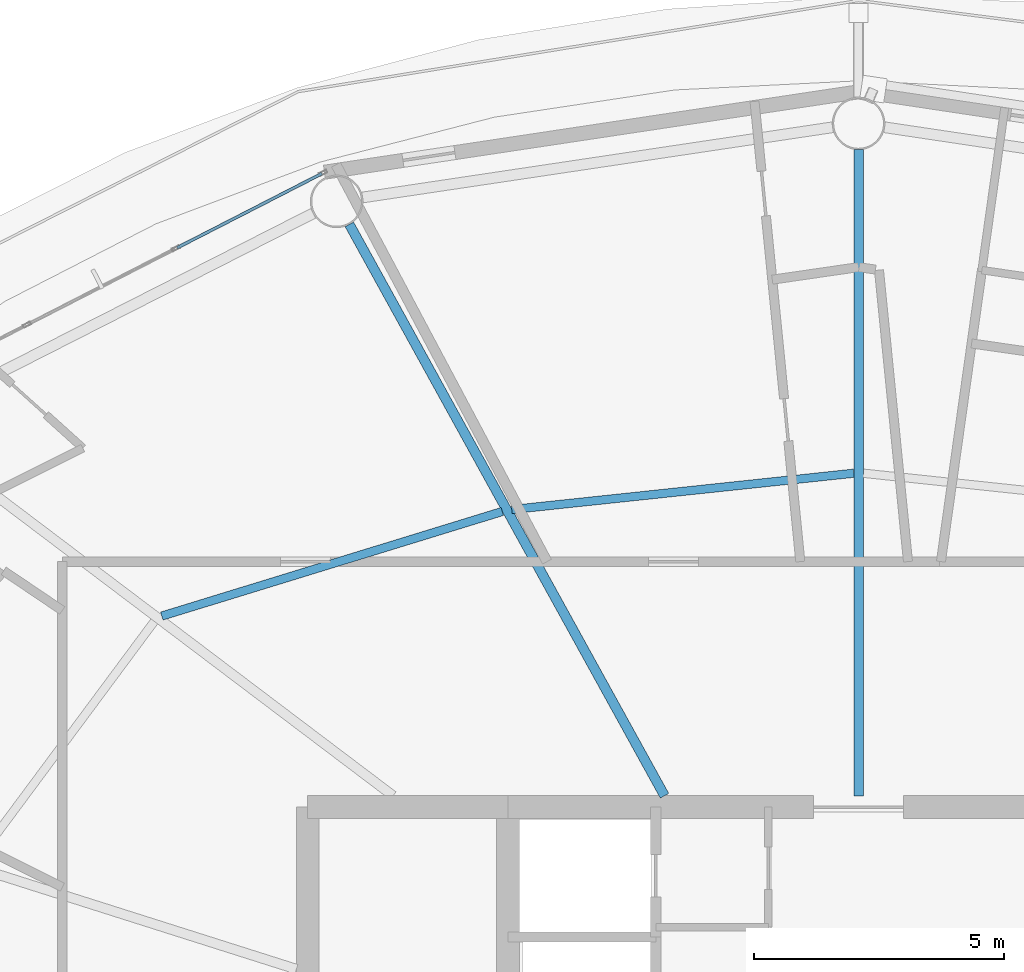
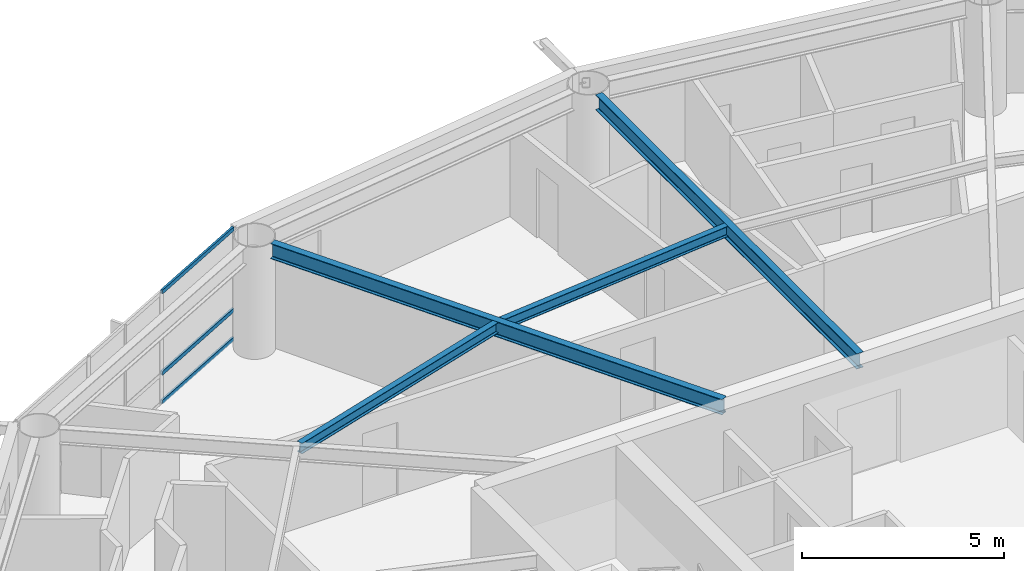
# One storey, part 12 of 28: 4 beams, 3 members, 1 element without a shape of its own.
"""IFC4 building model written with IfcOpenShell, lengths in metres."""

from ifc_helpers import new_model, si_unit, direction, frame, origin, origin_2d, place, context, subcontext, project, spatial, hollow_rectangle, i_section, extrude, material, layer, layer_set, material_profile, profile_set, type_object, element, aggregate, save


model = new_model("IFC4")

# Units and contexts
model_context = context("Model", 3, precision=1e-05, world=origin(), true_north=direction((0.0, 1.0)))
body_context = subcontext(model_context, "Body", "Model", "MODEL_VIEW")
ifc_project = project(units=[si_unit("LENGTHUNIT", "METRE"), si_unit("AREAUNIT", "SQUARE_METRE"), si_unit("VOLUMEUNIT", "CUBIC_METRE"), si_unit("PLANEANGLEUNIT", "RADIAN"), si_unit("MASSUNIT", "GRAM", prefix="KILO")], contexts=[model_context])

# Site, building, storey
site_placement = place(None, origin())
site = spatial("IfcSite", under=ifc_project, at=site_placement, CompositionType="ELEMENT")
building_placement = place(site_placement, origin())
building = spatial("IfcBuilding", under=site, at=building_placement, Name="Sarneth Arch Tower", CompositionType="ELEMENT")
storey_placement = place(building_placement, frame((0.0, 0.0, 154.199951171875)))
storey = spatial("IfcBuildingStorey", under=building, at=storey_placement, Name="L38", CompositionType="ELEMENT", Elevation=154.199951171875)

# Beams
ifc_material_1 = material(Name="Steel S355", Category="steel")
ifc_material_profile_1 = material_profile(ifc_material_1, i_section(OverallWidth=0.1669921875, OverallDepth=0.31689453125, WebThickness=0.007568359375, FlangeThickness=0.01318359375, FilletRadius=0.012939453125, at=origin_2d()), Name="W310x52")
ifc_profile_set_1 = profile_set([ifc_material_profile_1], Name="Steel S355")
beam_type_1 = type_object("IfcBeamType", Name="BM-JOIST-310B", PredefinedType="JOIST", material=ifc_profile_set_1)
beam_1_placement = place(storey_placement, frame((47.904052734375, 55.46484375, 3.221435546875), z_axis=(-0.994407831942, -0.105608066799, 0.0), x_axis=(0.105608066799, -0.994407831942, 0.0)))
element("IfcBeam", 1, at=beam_1_placement, inside=storey, type_object=beam_type_1, Name="L38 Secondary floor joist 05", PredefinedType="JOIST", context=body_context, shape_type="SweptSolid", body=[
    extrude(i_section(OverallWidth=0.1669921875, OverallDepth=0.31689453125, WebThickness=0.007568359375, FlangeThickness=0.01318359375, FilletRadius=0.012939453125, at=origin_2d()), origin(), (0.0, 0.0, 1.0), 6.8681640625),
])
beam_2_placement = place(storey_placement, frame((40.885986328125, 54.700927734375, 3.221435546875), z_axis=(-0.955929549608, -0.293596144707, 0.0), x_axis=(0.293596144707, -0.955929549608, 0.0)))
element("IfcBeam", 2, at=beam_2_placement, inside=storey, type_object=beam_type_1, Name="L38 Secondary floor joist 06", PredefinedType="JOIST", context=body_context, shape_type="SweptSolid", body=[
    extrude(i_section(OverallWidth=0.1669921875, OverallDepth=0.31689453125, WebThickness=0.007568359375, FlangeThickness=0.01318359375, FilletRadius=0.012939453125, at=origin_2d()), origin(), (0.0, 0.0, 1.0), 7.1123046875),
])
ifc_material_2 = material(Name="Steel S355", Category="steel")
ifc_material_profile_2 = material_profile(ifc_material_2, i_section(OverallWidth=0.193115234375, OverallDepth=0.466064453125, WebThickness=0.011474609375, FlangeThickness=0.01904296875, FilletRadius=0.01806640625, at=origin_2d()), Name="W460x97")
ifc_profile_set_2 = profile_set([ifc_material_profile_2], Name="Steel S355")
beam_type_2 = type_object("IfcBeamType", Name="BM-RAD-460C", PredefinedType="BEAM", material=ifc_profile_set_2)
beam_3_placement = place(storey_placement, frame((48.0, 49.02490234375, 3.14697265625), z_axis=(0.0, 1.0, 0.0), x_axis=(-1.0, 0.0, 0.0)))
element("IfcBeam", 3, at=beam_3_placement, inside=storey, type_object=beam_type_2, Name="L38 Radial floor girder 05", PredefinedType="BEAM", context=body_context, shape_type="SweptSolid", body=[
    extrude(i_section(OverallWidth=0.193115234375, OverallDepth=0.466064453125, WebThickness=0.011474609375, FlangeThickness=0.01904296875, FilletRadius=0.01806640625, at=origin_2d()), origin(), (0.0, 0.0, 1.0), 12.900146484375),
])
beam_4_placement = place(storey_placement, frame((44.125, 49.02490234375, 3.14697265625), z_axis=(-0.483004525121, 0.87561785541, 0.0), x_axis=(-0.87561785541, -0.483004525121, 0.0)))
element("IfcBeam", 4, at=beam_4_placement, inside=storey, type_object=beam_type_2, Name="L38 Radial floor girder 06", PredefinedType="BEAM", context=body_context, shape_type="SweptSolid", body=[
    extrude(i_section(OverallWidth=0.193115234375, OverallDepth=0.466064453125, WebThickness=0.011474609375, FlangeThickness=0.01904296875, FilletRadius=0.01806640625, at=origin_2d()), origin(), (0.0, 0.0, 1.0), 13.029296875),
])

# Curtain wall, members
ifc_material_3 = material(Name="Anodised aluminium Type AA25 and solar-control low-e laminated IGU", Category="aluminium")
ifc_layer = layer(ifc_material_3, 0.169921875)
ifc_layer_set = layer_set([ifc_layer], Name="Anodised aluminium Type AA25 and solar-control low-e laminated IGU")
curtain_wall_type = type_object("IfcCurtainWallType", Name="CW-RES-MID", PredefinedType="NOTDEFINED", material=ifc_layer_set)
curtain_wall_placement = place(storey_placement, origin())
curtain_wall = element("IfcCurtainWall", 5, at=curtain_wall_placement, inside=storey, type_object=curtain_wall_type, Name="L38 Unitised curtain wall facet 06", PredefinedType="NOTDEFINED")
ifc_material_4 = material(Name="Anodised Aluminium 6063-T6", Category="aluminium")
ifc_material_profile_3 = material_profile(ifc_material_4, hollow_rectangle(XDim=0.06005859375, YDim=0.1201171875, WallThickness=0.00390625, at=origin_2d()), Name="AL-TRAN-120x60x4")
ifc_profile_set_3 = profile_set([ifc_material_profile_3], Name="Anodised Aluminium 6063-T6")
member_type = type_object("IfcMemberType", Name="CW-TRANSOM", PredefinedType="USERDEFINED", material=ifc_profile_set_3)
member_1_placement = place(storey_placement, frame((37.28369140625, 61.447998046875, 0.030029296875), z_axis=(-0.889857362344, -0.456238835131, 0.0), x_axis=(0.456238835131, -0.889857362344, 0.0)))
member_1 = element("IfcMember", 6, at=member_1_placement, type_object=member_type, Name="CW-SYS-5 transom 1.1", ObjectType="TRANSOM", PredefinedType="USERDEFINED", context=body_context, shape_type="SweptSolid", body=[
    extrude(hollow_rectangle(XDim=0.06005859375, YDim=0.1201171875, WallThickness=0.00390625, at=origin_2d()), origin(), (0.0, 0.0, 1.0), 3.248779296875),
])
member_2_placement = place(storey_placement, frame((37.28369140625, 61.447998046875, 0.900146484375), z_axis=(-0.889857362344, -0.456238835131, 0.0), x_axis=(0.456238835131, -0.889857362344, 0.0)))
member_2 = element("IfcMember", 7, at=member_2_placement, type_object=member_type, Name="CW-SYS-5 transom 1.2", ObjectType="TRANSOM", PredefinedType="USERDEFINED", context=body_context, shape_type="SweptSolid", body=[
    extrude(hollow_rectangle(XDim=0.06005859375, YDim=0.1201171875, WallThickness=0.00390625, at=origin_2d()), origin(), (0.0, 0.0, 1.0), 3.248779296875),
])
member_3_placement = place(storey_placement, frame((37.28369140625, 61.447998046875, 3.35009765625), z_axis=(-0.889857362344, -0.456238835131, 0.0), x_axis=(0.456238835131, -0.889857362344, 0.0)))
member_3 = element("IfcMember", 8, at=member_3_placement, type_object=member_type, Name="CW-SYS-5 transom 1.3", ObjectType="TRANSOM", PredefinedType="USERDEFINED", context=body_context, shape_type="SweptSolid", body=[
    extrude(hollow_rectangle(XDim=0.06005859375, YDim=0.1201171875, WallThickness=0.00390625, at=origin_2d()), origin(), (0.0, 0.0, 1.0), 3.248779296875),
])
aggregate(curtain_wall, [member_1, member_2, member_3])

save(model, "model.ifc")
